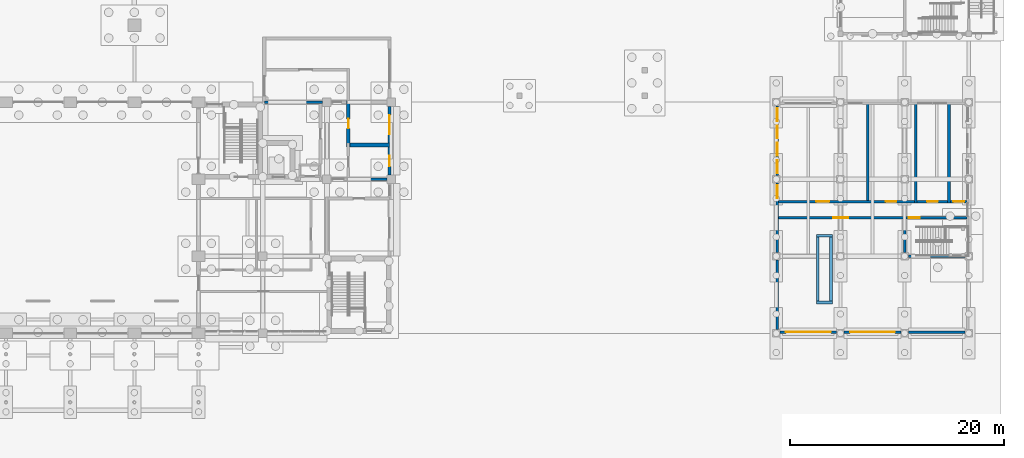
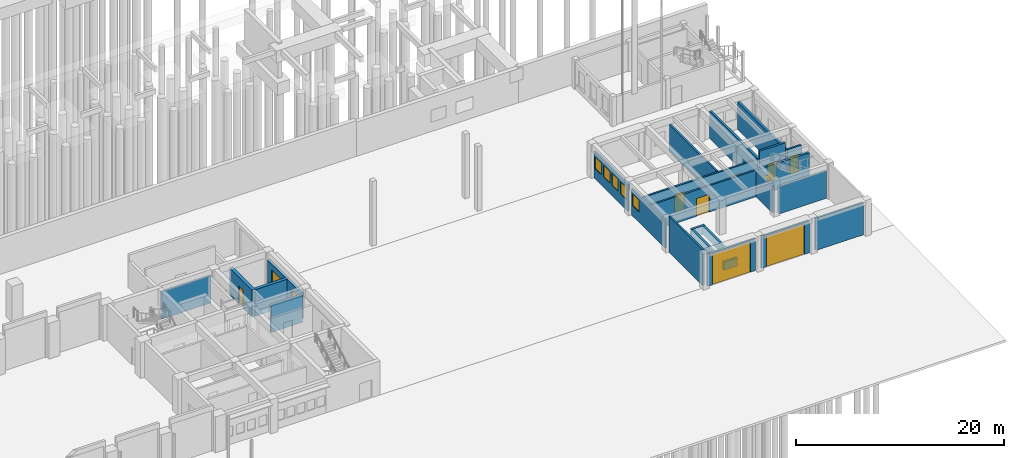
# One storey, part 25 of 37: 25 walls, 11 doors, 5 windows, 16 openings.
"""IFC4 building model written with IfcOpenShell, lengths in metres."""

from ifc_helpers import new_model, si_unit, direction, frame, frame_2d, origin, place, context, subcontext, project, spatial, rectangle, extrude, material, layer, layer_set, type_object, element, fill, save


model = new_model("IFC4")

# Units and contexts
model_context = context("Model", 3, precision=1e-05, world=origin(), true_north=direction((0.0, 1.0)))
body_context = subcontext(model_context, "Body", "Model", "MODEL_VIEW")
ifc_project = project(units=[si_unit("LENGTHUNIT", "METRE"), si_unit("AREAUNIT", "SQUARE_METRE"), si_unit("VOLUMEUNIT", "CUBIC_METRE"), si_unit("PLANEANGLEUNIT", "RADIAN"), si_unit("MASSUNIT", "GRAM", prefix="KILO")], contexts=[model_context])

# Site, building, storey
site_placement = place(None, origin())
site = spatial("IfcSite", under=ifc_project, at=site_placement, CompositionType="ELEMENT")
building_placement = place(site_placement, origin())
building = spatial("IfcBuilding", under=site, at=building_placement, Name="Laocheng Heights Fire and Rescue Headquarters", CompositionType="ELEMENT")
storey_placement = place(building_placement, origin())
storey = spatial("IfcBuildingStorey", under=building, at=storey_placement, Name="L00", CompositionType="ELEMENT", Elevation=0.0)

# Wall
ifc_material_1 = material(Name="Gypsum plaster")
ifc_layer_1 = layer(ifc_material_1, 0.010009765625, Name="PLASTER", Category="plaster")
ifc_material_2 = material(Name="Concrete blockwork MU10", Category="masonry")
ifc_layer_2 = layer(ifc_material_2, 0.179931640625, Name="BLOCKWORK", Category="masonry")
ifc_layer_3 = layer(ifc_material_1, 0.010009765625, Name="PLASTER", Category="plaster")
ifc_layer_set_1 = layer_set([ifc_layer_1, ifc_layer_2, ifc_layer_3], Name="Concrete blockwork MU10")
wall_type_1 = type_object("IfcWallType", Name="BLOCKWORK FIRE PARTITION 200 EI 60 WORK", PredefinedType="PARTITIONING", material=ifc_layer_set_1)
wall_1_placement = place(storey_placement, frame((116.550048828125, 12.39990234375, 0.0), z_axis=(0.0, 0.0, 1.0), x_axis=(0.0, 1.0, 0.0)))
element("IfcWall", 1, at=wall_1_placement, inside=storey, type_object=wall_type_1, Name="Partition L00-001", PredefinedType="PARTITIONING", context=body_context, shape_type="SweptSolid", body=[
    extrude(rectangle(XDim=9.050048828125, YDim=0.199951171875, at=frame_2d((4.52490234375, 0.0))), origin(), (0.0, 0.0, 1.0), 3.199951171875),
])

# Wall, opening, door
wall_2_placement = place(storey_placement, frame((108.14990234375, 10.800048828125, 0.0), z_axis=(0.0, 0.0, 1.0), x_axis=(1.0, 0.0, 0.0)))
wall_2 = element("IfcWall", 2, at=wall_2_placement, inside=storey, type_object=wall_type_1, Name="Partition L00-006", PredefinedType="PARTITIONING", context=body_context, shape_type="SweptSolid", body=[
    extrude(rectangle(XDim=11.72998046875, YDim=0.199951171875, at=frame_2d((5.864990234375, 0.0))), origin(), (0.0, 0.0, 1.0), 3.10009765625),
])
opening_1_placement = place(wall_2_placement, frame((5.1650390625, 0.0, 0.0)))
opening_1 = element("IfcOpeningElement", 3, at=opening_1_placement, cuts=wall_2, Name="Opening L00-N03", PredefinedType="OPENING", context=body_context, shape_type="SweptSolid", body=[
    extrude(rectangle(XDim=1.39990234375, YDim=2.10009765625, at=frame_2d((0.699951171875, 1.050048828125))), frame((0.0, 0.10986328125, 0.0), z_axis=(0.0, -1.0, 0.0), x_axis=(1.0, 0.0, 0.0)), (0.0, 0.0, 1.0), 0.219970703125),
])
ifc_material_3 = material(Name="Steel door leaf, painted", Category="steel")
door_type_1 = type_object("IfcDoorType", Name="STEEL FIRE DOOR 1400x2100 EI 60 WORK", OperationType="SINGLE_SWING_LEFT", PredefinedType="DOOR", material=ifc_material_3)
door_1_placement = place(opening_1_placement, frame((1.39990234375, 0.0, 0.0), z_axis=(0.0, 0.0, 1.0), x_axis=(-1.0, 0.0, 0.0)))
door_1 = element("IfcDoor", 4, at=door_1_placement, inside=storey, type_object=door_type_1, Name="Door L00-N03", OperationType="SINGLE_SWING_RIGHT", OverallHeight=2.10009765625, OverallWidth=1.39990234375, PredefinedType="DOOR", context=body_context, shape_type="SweptSolid", body=[
    extrude(rectangle(XDim=1.39990234375, YDim=2.10009765625, at=frame_2d((0.699951171875, 1.050048828125))), frame((0.0, 0.02490234375, 0.0), z_axis=(0.0, -1.0, 0.0), x_axis=(1.0, 0.0, 0.0)), (0.0, 0.0, 1.0), 0.050048828125),
])
fill(opening_1, door_1)

# Wall, openings, doors
wall_3_placement = place(storey_placement, frame((108.14990234375, 12.300048828125, 0.0), z_axis=(0.0, 0.0, 1.0), x_axis=(1.0, 0.0, 0.0)))
wall_3 = element("IfcWall", 5, at=wall_3_placement, inside=storey, type_object=wall_type_1, Name="Partition L00-008", PredefinedType="PARTITIONING", context=body_context, shape_type="SweptSolid", body=[
    extrude(rectangle(XDim=12.780029296875, YDim=0.199951171875, at=frame_2d((6.39013671875, 0.0))), origin(), (0.0, 0.0, 1.0), 3.10009765625),
])
opening_2_placement = place(wall_3_placement, frame((3.60009765625, 0.0, 0.0)))
opening_2 = element("IfcOpeningElement", 6, at=opening_2_placement, cuts=wall_3, Name="Opening L00-N04", PredefinedType="OPENING", context=body_context, shape_type="SweptSolid", body=[
    extrude(rectangle(XDim=1.199951171875, YDim=2.10009765625, at=frame_2d((0.60009765625, 1.050048828125))), frame((0.0, 0.10986328125, 0.0), z_axis=(0.0, -1.0, 0.0), x_axis=(1.0, 0.0, 0.0)), (0.0, 0.0, 1.0), 0.219970703125),
])
opening_3_placement = place(wall_3_placement, frame((10.090087890625, 0.0, 0.0)))
opening_3 = element("IfcOpeningElement", 7, at=opening_3_placement, cuts=wall_3, Name="Opening L00-N05", PredefinedType="OPENING", context=body_context, shape_type="SweptSolid", body=[
    extrude(rectangle(XDim=1.0, YDim=2.10009765625, at=frame_2d((0.5, 1.050048828125))), frame((0.0, 0.10986328125, 0.0), z_axis=(0.0, -1.0, 0.0), x_axis=(1.0, 0.0, 0.0)), (0.0, 0.0, 1.0), 0.219970703125),
])
ifc_material_4 = material(Name="Steel door leaf, painted", Category="steel")
door_type_2 = type_object("IfcDoorType", Name="STEEL FIRE DOOR 1000x2100 EI 60 WORK", OperationType="SINGLE_SWING_LEFT", PredefinedType="DOOR", material=ifc_material_4)
door_2_placement = place(opening_3_placement, origin())
door_2 = element("IfcDoor", 8, at=door_2_placement, inside=storey, type_object=door_type_2, Name="Door L00-N05", OperationType="SINGLE_SWING_LEFT", OverallHeight=2.10009765625, OverallWidth=1.0, PredefinedType="DOOR", context=body_context, shape_type="SweptSolid", body=[
    extrude(rectangle(XDim=1.0, YDim=2.10009765625, at=frame_2d((0.5, 1.050048828125))), frame((0.0, 0.02490234375, 0.0), z_axis=(0.0, -1.0, 0.0), x_axis=(1.0, 0.0, 0.0)), (0.0, 0.0, 1.0), 0.050048828125),
])
fill(opening_3, door_2)
ifc_material_5 = material(Name="Steel door leaf, painted", Category="steel")
door_type_3 = type_object("IfcDoorType", Name="STEEL FIRE DOOR 1200x2100 EI 60 WORK", OperationType="SINGLE_SWING_LEFT", PredefinedType="DOOR", material=ifc_material_5)
door_3_placement = place(opening_2_placement, origin())
door_3 = element("IfcDoor", 9, at=door_3_placement, inside=storey, type_object=door_type_3, Name="Door L00-N04", OperationType="SINGLE_SWING_LEFT", OverallHeight=2.10009765625, OverallWidth=1.199951171875, PredefinedType="DOOR", context=body_context, shape_type="SweptSolid", body=[
    extrude(rectangle(XDim=1.199951171875, YDim=2.10009765625, at=frame_2d((0.60009765625, 1.050048828125))), frame((0.0, 0.02490234375, 0.0), z_axis=(0.0, -1.0, 0.0), x_axis=(1.0, 0.0, 0.0)), (0.0, 0.0, 1.0), 0.050048828125),
])
fill(opening_2, door_3)

# Wall, opening, door
wall_4_placement = place(storey_placement, frame((124.27001953125, 12.300048828125, 0.0), z_axis=(0.0, 0.0, 1.0), x_axis=(1.0, 0.0, 0.0)))
wall_4 = element("IfcWall", 10, at=wall_4_placement, inside=storey, type_object=wall_type_1, Name="Partition L00-010", PredefinedType="PARTITIONING", context=body_context, shape_type="SweptSolid", body=[
    extrude(rectangle(XDim=1.580078125, YDim=0.199951171875, at=frame_2d((0.7900390625, 0.0))), origin(), (0.0, 0.0, 1.0), 3.10009765625),
])
opening_4_placement = place(wall_4_placement, frame((0.2900390625, 0.0, 0.0)))
opening_4 = element("IfcOpeningElement", 11, at=opening_4_placement, cuts=wall_4, Name="Opening L00-N07", PredefinedType="OPENING", context=body_context, shape_type="SweptSolid", body=[
    extrude(rectangle(XDim=1.0, YDim=2.10009765625, at=frame_2d((0.5, 1.050048828125))), frame((0.0, 0.10986328125, 0.0), z_axis=(0.0, -1.0, 0.0), x_axis=(1.0, 0.0, 0.0)), (0.0, 0.0, 1.0), 0.219970703125),
])
door_4_placement = place(opening_4_placement, origin())
door_4 = element("IfcDoor", 12, at=door_4_placement, inside=storey, type_object=door_type_2, Name="Door L00-N07", OperationType="SINGLE_SWING_RIGHT", OverallHeight=2.10009765625, OverallWidth=1.0, PredefinedType="DOOR", context=body_context, shape_type="SweptSolid", body=[
    extrude(rectangle(XDim=1.0, YDim=2.10009765625, at=frame_2d((0.5, 1.050048828125))), frame((0.0, 0.02490234375, 0.0), z_axis=(0.0, -1.0, 0.0), x_axis=(1.0, 0.0, 0.0)), (0.0, 0.0, 1.0), 0.050048828125),
])
fill(opening_4, door_4)

# Walls
ifc_material_6 = material(Name="Gypsum plaster")
ifc_layer_4 = layer(ifc_material_6, 0.010009765625, Name="PLASTER", Category="plaster")
ifc_material_7 = material(Name="Clay brick masonry MU10", Category="masonry")
ifc_layer_5 = layer(ifc_material_7, 0.219970703125, Name="BLOCKWORK", Category="masonry")
ifc_layer_6 = layer(ifc_material_6, 0.010009765625, Name="PLASTER", Category="plaster")
ifc_layer_set_2 = layer_set([ifc_layer_4, ifc_layer_5, ifc_layer_6], Name="Clay brick masonry MU10")
wall_type_2 = type_object("IfcWallType", Name="CLAY BRICK WALL 240 EI 120 BAY", PredefinedType="PARTITIONING", material=ifc_layer_set_2)
wall_5_placement = place(storey_placement, frame((68.1201171875, 14.39990234375, 0.0), z_axis=(0.0, 0.0, 1.0), x_axis=(1.0, 0.0, 0.0)))
element("IfcWall", 13, at=wall_5_placement, inside=storey, type_object=wall_type_2, Name="Partition L00-028", PredefinedType="PARTITIONING", context=body_context, shape_type="SweptSolid", body=[
    extrude(rectangle(XDim=3.47998046875, YDim=0.239990234375, at=frame_2d((1.739990234375, 0.0))), origin(), (0.0, 0.0, 1.0), 3.199951171875),
])
wall_6_placement = place(storey_placement, frame((60.14990234375, 21.60009765625, 0.0), z_axis=(0.0, 0.0, 1.0), x_axis=(1.0, 0.0, 0.0)))
element("IfcWall", 14, at=wall_6_placement, inside=storey, type_object=wall_type_2, Name="Partition L00-032", PredefinedType="PARTITIONING", context=body_context, shape_type="SweptSolid", body=[
    extrude(rectangle(XDim=5.4501953125, YDim=0.239990234375, at=frame_2d((2.72509765625, 0.0))), origin(), (0.0, 0.0, 1.0), 3.199951171875),
])
ifc_material_8 = material(Name="Gypsum plaster")
ifc_layer_7 = layer(ifc_material_8, 0.010009765625, Name="PLASTER", Category="plaster")
ifc_material_9 = material(Name="Clay brick masonry MU10", Category="masonry")
ifc_layer_8 = layer(ifc_material_9, 0.219970703125, Name="BLOCKWORK", Category="masonry")
ifc_layer_9 = layer(ifc_material_8, 0.010009765625, Name="PLASTER", Category="plaster")
ifc_layer_set_3 = layer_set([ifc_layer_7, ifc_layer_8, ifc_layer_9], Name="Clay brick masonry MU10")
wall_type_3 = type_object("IfcWallType", Name="CLAY BRICK WALL 240 EI 120 WORK", PredefinedType="PARTITIONING", material=ifc_layer_set_3)
wall_7_placement = place(storey_placement, frame((120.0, 7.550048828125, 0.0), z_axis=(0.0, 0.0, 1.0), x_axis=(0.0, 1.0, 0.0)))
element("IfcWall", 15, at=wall_7_placement, inside=storey, type_object=wall_type_3, Name="Partition L00-002", PredefinedType="PARTITIONING", context=body_context, shape_type="SweptSolid", body=[
    extrude(rectangle(XDim=3.369873046875, YDim=0.239990234375, at=frame_2d((1.68505859375, 0.0))), origin(), (0.0, 0.0, 1.0), 3.10009765625),
])
for number, where, z_axis, x_axis, name in (
    (16, (121.050048828125, 12.179931640625, 0.0), (0.0, 0.0, 1.0), (0.0, 1.0, 0.0), "Partition L00-003"),
    (17, (124.14990234375, 12.179931640625, 0.0), (0.0, 0.0, 1.0), (0.0, 1.0, 0.0), "Partition L00-004"),
):
    element("IfcWall", number, at=place(storey_placement, frame(where, z_axis=z_axis, x_axis=x_axis)), inside=storey, type_object=wall_type_3, Name=name, PredefinedType="PARTITIONING", context=body_context, shape_type="SweptSolid", body=[
        extrude(rectangle(XDim=9.27001953125, YDim=0.239990234375, at=frame_2d((4.635009765625, 0.0))), origin(), (0.0, 0.0, 1.0), 3.199951171875),
    ])
wall_8_placement = place(storey_placement, frame((120.35009765625, 7.199951171875, 0.0), z_axis=(0.0, 0.0, 1.0), x_axis=(1.0, 0.0, 0.0)))
element("IfcWall", 18, at=wall_8_placement, inside=storey, type_object=wall_type_3, Name="Partition L00-005", PredefinedType="PARTITIONING", context=body_context, shape_type="SweptSolid", body=[
    extrude(rectangle(XDim=5.2998046875, YDim=0.239990234375, at=frame_2d((2.64990234375, 0.0))), origin(), (0.0, 0.0, 1.0), 3.199951171875),
])

# Wall, opening, door
wall_9_placement = place(storey_placement, frame((120.1201171875, 10.800048828125, 0.0), z_axis=(0.0, 0.0, 1.0), x_axis=(1.0, 0.0, 0.0)))
wall_9 = element("IfcWall", 19, at=wall_9_placement, inside=storey, type_object=wall_type_3, Name="Partition L00-007", PredefinedType="PARTITIONING", context=body_context, shape_type="SweptSolid", body=[
    extrude(rectangle(XDim=5.72998046875, YDim=0.239990234375, at=frame_2d((2.864990234375, 0.0))), origin(), (0.0, 0.0, 1.0), 3.10009765625),
])
opening_5_placement = place(wall_9_placement, frame((0.280029296875, 0.0, 0.0)))
opening_5 = element("IfcOpeningElement", 20, at=opening_5_placement, cuts=wall_9, Name="Opening L00-N01", PredefinedType="OPENING", context=body_context, shape_type="SweptSolid", body=[
    extrude(rectangle(XDim=1.0, YDim=2.10009765625, at=frame_2d((0.5, 1.050048828125))), frame((0.0, 0.1298828125, 0.0), z_axis=(0.0, -1.0, 0.0), x_axis=(1.0, 0.0, 0.0)), (0.0, 0.0, 1.0), 0.260009765625),
])
ifc_material_10 = material(Name="Steel door leaf, painted", Category="steel")
door_type_4 = type_object("IfcDoorType", Name="STEEL FIRE DOOR 1000x2100 EI 120 WORK", OperationType="SINGLE_SWING_LEFT", PredefinedType="DOOR", material=ifc_material_10)
door_5_placement = place(opening_5_placement, frame((1.0, 0.0, 0.0), z_axis=(0.0, 0.0, 1.0), x_axis=(-1.0, 0.0, 0.0)))
door_5 = element("IfcDoor", 21, at=door_5_placement, inside=storey, type_object=door_type_4, Name="Door L00-N01", OperationType="SINGLE_SWING_RIGHT", OverallHeight=2.10009765625, OverallWidth=1.0, PredefinedType="DOOR", context=body_context, shape_type="SweptSolid", body=[
    extrude(rectangle(XDim=1.0, YDim=2.10009765625, at=frame_2d((0.5, 1.050048828125))), frame((0.0, 0.02490234375, 0.0), z_axis=(0.0, -1.0, 0.0), x_axis=(1.0, 0.0, 0.0)), (0.0, 0.0, 1.0), 0.050048828125),
])
fill(opening_5, door_5)

wall_10_placement = place(storey_placement, frame((121.169921875, 12.300048828125, 0.0), z_axis=(0.0, 0.0, 1.0), x_axis=(1.0, 0.0, 0.0)))
wall_10 = element("IfcWall", 22, at=wall_10_placement, inside=storey, type_object=wall_type_3, Name="Partition L00-009", PredefinedType="PARTITIONING", context=body_context, shape_type="SweptSolid", body=[
    extrude(rectangle(XDim=2.860107421875, YDim=0.239990234375, at=frame_2d((1.43017578125, 0.0))), origin(), (0.0, 0.0, 1.0), 4.0),
])
opening_6_placement = place(wall_10_placement, frame((0.929931640625, 0.0, 0.0)))
opening_6 = element("IfcOpeningElement", 23, at=opening_6_placement, cuts=wall_10, Name="Opening L00-N06", PredefinedType="OPENING", context=body_context, shape_type="SweptSolid", body=[
    extrude(rectangle(XDim=1.0, YDim=2.10009765625, at=frame_2d((0.5, 1.050048828125))), frame((0.0, 0.1298828125, 0.0), z_axis=(0.0, -1.0, 0.0), x_axis=(1.0, 0.0, 0.0)), (0.0, 0.0, 1.0), 0.260009765625),
])
door_6_placement = place(opening_6_placement, origin())
door_6 = element("IfcDoor", 24, at=door_6_placement, inside=storey, type_object=door_type_4, Name="Door L00-N06", OperationType="SINGLE_SWING_RIGHT", OverallHeight=2.10009765625, OverallWidth=1.0, PredefinedType="DOOR", context=body_context, shape_type="SweptSolid", body=[
    extrude(rectangle(XDim=1.0, YDim=2.10009765625, at=frame_2d((0.5, 1.050048828125))), frame((0.0, 0.02490234375, 0.0), z_axis=(0.0, -1.0, 0.0), x_axis=(1.0, 0.0, 0.0)), (0.0, 0.0, 1.0), 0.050048828125),
])
fill(opening_6, door_6)

# Wall, openings, doors
ifc_material_11 = material(Name="Precast concrete C40/50", Category="concrete")
ifc_layer_10 = layer(ifc_material_11, 0.300048828125)
ifc_layer_set_4 = layer_set([ifc_layer_10], Name="Precast concrete C40/50")
wall_type_4 = type_object("IfcWallType", Name="PRECAST PANEL WALL 300 EAST FLANK", PredefinedType="SOLIDWALL", material=ifc_layer_set_4)
wall_11_placement = place(storey_placement, frame((71.85009765625, 14.800048828125, 0.0), z_axis=(0.0, 0.0, 1.0), x_axis=(0.0, 1.0, 0.0)))
wall_11 = element("IfcWall", 25, at=wall_11_placement, inside=storey, type_object=wall_type_4, Name="Flank E wall L00", PredefinedType="SOLIDWALL", context=body_context, shape_type="SweptSolid", body=[
    extrude(rectangle(XDim=6.39990234375, YDim=0.300048828125, at=frame_2d((3.199951171875, 0.0))), origin(), (0.0, 0.0, 1.0), 3.10009765625),
])
opening_7_placement = place(wall_11_placement, frame((0.8125, 0.0, 0.0)))
opening_7 = element("IfcOpeningElement", 26, at=opening_7_placement, cuts=wall_11, Name="Opening L00-E04", PredefinedType="OPENING", context=body_context, shape_type="SweptSolid", body=[
    extrude(rectangle(XDim=1.0, YDim=2.39990234375, at=frame_2d((0.5, 1.199951171875))), frame((0.0, 0.159912109375, 0.0), z_axis=(0.0, -1.0, 0.0), x_axis=(1.0, 0.0, 0.0)), (0.0, 0.0, 1.0), 0.320068359375),
])
opening_8_placement = place(wall_11_placement, frame((3.78759765625, 0.0, 0.0)))
opening_8 = element("IfcOpeningElement", 27, at=opening_8_placement, cuts=wall_11, Name="Opening L00-E05", PredefinedType="OPENING", context=body_context, shape_type="SweptSolid", body=[
    extrude(rectangle(XDim=1.800048828125, YDim=2.39990234375, at=frame_2d((0.89990234375, 1.199951171875))), frame((0.0, 0.159912109375, 0.0), z_axis=(0.0, -1.0, 0.0), x_axis=(1.0, 0.0, 0.0)), (0.0, 0.0, 1.0), 0.320068359375),
])
ifc_material_12 = material(Name="Powder-coated galvanised steel door leaf, louvred", Category="steel")
door_type_5 = type_object("IfcDoorType", Name="DOUBLE PLANT DOOR STEEL 1800 x 2400 EI 60", OperationType="DOUBLE_DOOR_SINGLE_SWING", PredefinedType="DOOR", material=ifc_material_12)
door_7_placement = place(opening_8_placement, frame((1.800048828125, 0.0, 0.0), z_axis=(0.0, 0.0, 1.0), x_axis=(-1.0, 0.0, 0.0)))
door_7 = element("IfcDoor", 28, at=door_7_placement, inside=storey, type_object=door_type_5, Name="Plant room door L00-E05", OperationType="DOUBLE_DOOR_SINGLE_SWING", OverallHeight=2.39990234375, OverallWidth=1.800048828125, PredefinedType="DOOR", context=body_context, shape_type="SweptSolid", body=[
    extrude(rectangle(XDim=1.800048828125, YDim=2.39990234375, at=frame_2d((0.89990234375, 1.199951171875))), frame((0.0, 0.02490234375, 0.0), z_axis=(0.0, -1.0, 0.0), x_axis=(1.0, 0.0, 0.0)), (0.0, 0.0, 1.0), 0.050048828125),
])
fill(opening_8, door_7)
ifc_material_13 = material(Name="Powder-coated galvanised steel door leaf", Category="steel")
door_type_6 = type_object("IfcDoorType", Name="EXTERNAL STEEL DOOR 1000 x 2400 EI 60", OperationType="SINGLE_SWING_LEFT", PredefinedType="DOOR", material=ifc_material_13)
door_8_placement = place(opening_7_placement, frame((1.0, 0.0, 0.0), z_axis=(0.0, 0.0, 1.0), x_axis=(-1.0, 0.0, 0.0)))
door_8 = element("IfcDoor", 29, at=door_8_placement, inside=storey, type_object=door_type_6, Name="Plant room door L00-E04", OperationType="SINGLE_SWING_RIGHT", OverallHeight=2.39990234375, OverallWidth=1.0, PredefinedType="DOOR", context=body_context, shape_type="SweptSolid", body=[
    extrude(rectangle(XDim=1.0, YDim=2.39990234375, at=frame_2d((0.5, 1.199951171875))), frame((0.0, 0.02490234375, 0.0), z_axis=(0.0, -1.0, 0.0), x_axis=(1.0, 0.0, 0.0)), (0.0, 0.0, 1.0), 0.050048828125),
])
fill(opening_7, door_8)

# Wall, opening, door
ifc_material_14 = material(Name="Aluminium profiled sheet cladding on insulated steel liner", Category="steel")
ifc_layer_11 = layer(ifc_material_14, 0.199951171875)
ifc_layer_set_5 = layer_set([ifc_layer_11], Name="Aluminium profiled sheet cladding on insulated steel liner")
wall_type_5 = type_object("IfcWallType", Name="PROFILED METAL CLAD WALL 200 WORKSHOP", PredefinedType="SOLIDWALL", material=ifc_layer_set_5)
wall_12_placement = place(storey_placement, frame((108.35009765625, 0.10009765625, 0.0), z_axis=(0.0, 0.0, 1.0), x_axis=(1.0, 0.0, 0.0)))
wall_12 = element("IfcWall", 30, at=wall_12_placement, inside=storey, type_object=wall_type_5, Name="Workshop wall L00", PredefinedType="SOLIDWALL", context=body_context, shape_type="SweptSolid", body=[
    extrude(rectangle(XDim=5.2998046875, YDim=0.199951171875, at=frame_2d((2.64990234375, 0.0))), origin(), (0.0, 0.0, 1.0), 3.800048828125),
])
opening_9_placement = place(wall_12_placement, frame((0.550048828125, 0.0, 0.0)))
opening_9 = element("IfcOpeningElement", 31, at=opening_9_placement, cuts=wall_12, Name="Opening L00-E08", PredefinedType="OPENING", context=body_context, shape_type="SweptSolid", body=[
    extrude(rectangle(XDim=4.199951171875, YDim=3.60009765625, at=frame_2d((2.10009765625, 1.800048828125))), frame((0.0, 0.10986328125, 0.0), z_axis=(0.0, -1.0, 0.0), x_axis=(1.0, 0.0, 0.0)), (0.0, 0.0, 1.0), 0.219970703125),
])
ifc_material_15 = material(Name="Insulated aluminium roller shutter, powder-coated", Category="aluminium")
door_type_7 = type_object("IfcDoorType", Name="ROLLER SHUTTER DOOR INSULATED 4200 x 3600 EI 60", OperationType="ROLLINGUP", PredefinedType="DOOR", material=ifc_material_15)
door_9_placement = place(opening_9_placement, frame((4.199951171875, 0.0, 0.0), z_axis=(0.0, 0.0, 1.0), x_axis=(-1.0, 0.0, 0.0)))
door_9 = element("IfcDoor", 32, at=door_9_placement, inside=storey, type_object=door_type_7, Name="Workshop roller door L00-E08", OperationType="ROLLINGUP", OverallHeight=3.60009765625, OverallWidth=4.199951171875, PredefinedType="DOOR", context=body_context, shape_type="SweptSolid", body=[
    extrude(rectangle(XDim=4.199951171875, YDim=3.60009765625, at=frame_2d((2.10009765625, 1.800048828125))), frame((0.0, 0.02490234375, 0.0), z_axis=(0.0, -1.0, 0.0), x_axis=(1.0, 0.0, 0.0)), (0.0, 0.0, 1.0), 0.050048828125),
])
fill(opening_9, door_9)

wall_13_placement = place(storey_placement, frame((114.35009765625, 0.10009765625, 0.0), z_axis=(0.0, 0.0, 1.0), x_axis=(1.0, 0.0, 0.0)))
wall_13 = element("IfcWall", 33, at=wall_13_placement, inside=storey, type_object=wall_type_5, Name="Workshop wall L00", PredefinedType="SOLIDWALL", context=body_context, shape_type="SweptSolid", body=[
    extrude(rectangle(XDim=5.2998046875, YDim=0.199951171875, at=frame_2d((2.64990234375, 0.0))), origin(), (0.0, 0.0, 1.0), 3.800048828125),
])
opening_10_placement = place(wall_13_placement, frame((0.550048828125, 0.0, 0.0)))
opening_10 = element("IfcOpeningElement", 34, at=opening_10_placement, cuts=wall_13, Name="Opening L00-E09", PredefinedType="OPENING", context=body_context, shape_type="SweptSolid", body=[
    extrude(rectangle(XDim=4.199951171875, YDim=3.60009765625, at=frame_2d((2.10009765625, 1.800048828125))), frame((0.0, 0.10986328125, 0.0), z_axis=(0.0, -1.0, 0.0), x_axis=(1.0, 0.0, 0.0)), (0.0, 0.0, 1.0), 0.219970703125),
])
door_10_placement = place(opening_10_placement, frame((4.199951171875, 0.0, 0.0), z_axis=(0.0, 0.0, 1.0), x_axis=(-1.0, 0.0, 0.0)))
door_10 = element("IfcDoor", 35, at=door_10_placement, inside=storey, type_object=door_type_7, Name="Workshop roller door L00-E09", OperationType="ROLLINGUP", OverallHeight=3.60009765625, OverallWidth=4.199951171875, PredefinedType="DOOR", context=body_context, shape_type="SweptSolid", body=[
    extrude(rectangle(XDim=4.199951171875, YDim=3.60009765625, at=frame_2d((2.10009765625, 1.800048828125))), frame((0.0, 0.02490234375, 0.0), z_axis=(0.0, -1.0, 0.0), x_axis=(1.0, 0.0, 0.0)), (0.0, 0.0, 1.0), 0.050048828125),
])
fill(opening_10, door_10)

# Walls
wall_14_placement = place(storey_placement, frame((120.35009765625, 0.10009765625, 0.0), z_axis=(0.0, 0.0, 1.0), x_axis=(1.0, 0.0, 0.0)))
element("IfcWall", 36, at=wall_14_placement, inside=storey, type_object=wall_type_5, Name="Workshop wall L00", PredefinedType="SOLIDWALL", context=body_context, shape_type="SweptSolid", body=[
    extrude(rectangle(XDim=5.2998046875, YDim=0.199951171875, at=frame_2d((2.64990234375, 0.0))), origin(), (0.0, 0.0, 1.0), 3.800048828125),
])
wall_15_placement = place(storey_placement, frame((108.10009765625, 0.35009765625, 0.0), z_axis=(0.0, 0.0, 1.0), x_axis=(0.0, 1.0, 0.0)))
element("IfcWall", 37, at=wall_15_placement, inside=storey, type_object=wall_type_5, Name="Workshop wall L00", PredefinedType="SOLIDWALL", context=body_context, shape_type="SweptSolid", body=[
    extrude(rectangle(XDim=6.5, YDim=0.199951171875, at=frame_2d((3.25, 0.0))), origin(), (0.0, 0.0, 1.0), 4.199951171875),
])

# Wall, opening, window
wall_16_placement = place(storey_placement, frame((108.10009765625, 7.550048828125, 0.0), z_axis=(0.0, 0.0, 1.0), x_axis=(0.0, 1.0, 0.0)))
wall_16 = element("IfcWall", 38, at=wall_16_placement, inside=storey, type_object=wall_type_5, Name="Workshop wall L00", PredefinedType="SOLIDWALL", context=body_context, shape_type="SweptSolid", body=[
    extrude(rectangle(XDim=6.5, YDim=0.199951171875, at=frame_2d((3.25, 0.0))), origin(), (0.0, 0.0, 1.0), 3.10009765625),
])
opening_11_placement = place(wall_16_placement, frame((5.074951171875, 0.0, 1.199951171875)))
opening_11 = element("IfcOpeningElement", 39, at=opening_11_placement, cuts=wall_16, Name="Opening N4-E", PredefinedType="OPENING", context=body_context, shape_type="SweptSolid", body=[
    extrude(rectangle(XDim=1.199951171875, YDim=1.39990234375, at=frame_2d((0.60009765625, 0.699951171875))), frame((0.0, 0.10986328125, 0.0), z_axis=(0.0, -1.0, 0.0), x_axis=(1.0, 0.0, 0.0)), (0.0, 0.0, 1.0), 0.219970703125),
])
ifc_material_16 = material(Name="Low-e double glazing in thermally broken aluminium frame", Category="aluminium")
window_type = type_object("IfcWindowType", Name="CLERESTORY WINDOW 1200 x 1400 SILL 1200", PartitioningType="SINGLE_PANEL", PredefinedType="WINDOW", material=ifc_material_16)
window_1_placement = place(opening_11_placement, origin())
window_1 = element("IfcWindow", 40, at=window_1_placement, inside=storey, type_object=window_type, Name="Workshop window L00", OverallHeight=1.39990234375, OverallWidth=1.199951171875, PartitioningType="SINGLE_PANEL", PredefinedType="WINDOW", context=body_context, shape_type="SweptSolid", body=[
    extrude(rectangle(XDim=1.199951171875, YDim=1.39990234375, at=frame_2d((0.60009765625, 0.699951171875))), frame((0.0, 0.030029296875, 0.0), z_axis=(0.0, -1.0, 0.0), x_axis=(1.0, 0.0, 0.0)), (0.0, 0.0, 1.0), 0.06005859375),
])
fill(opening_11, window_1)

# Wall, openings, windows
wall_17_placement = place(storey_placement, frame((108.10009765625, 14.75, 0.0), z_axis=(0.0, 0.0, 1.0), x_axis=(0.0, 1.0, 0.0)))
wall_17 = element("IfcWall", 41, at=wall_17_placement, inside=storey, type_object=wall_type_5, Name="Workshop wall L00", PredefinedType="SOLIDWALL", context=body_context, shape_type="SweptSolid", body=[
    extrude(rectangle(XDim=6.5, YDim=0.199951171875, at=frame_2d((3.25, 0.0))), origin(), (0.0, 0.0, 1.0), 3.10009765625),
])
opening_12_placement = place(wall_17_placement, frame((0.21240234375, 0.0, 1.199951171875)))
opening_12 = element("IfcOpeningElement", 42, at=opening_12_placement, cuts=wall_17, Name="Opening N4-E", PredefinedType="OPENING", context=body_context, shape_type="SweptSolid", body=[
    extrude(rectangle(XDim=1.199951171875, YDim=1.39990234375, at=frame_2d((0.60009765625, 0.699951171875))), frame((0.0, 0.10986328125, 0.0), z_axis=(0.0, -1.0, 0.0), x_axis=(1.0, 0.0, 0.0)), (0.0, 0.0, 1.0), 0.219970703125),
])
opening_13_placement = place(wall_17_placement, frame((1.83740234375, 0.0, 1.199951171875)))
opening_13 = element("IfcOpeningElement", 43, at=opening_13_placement, cuts=wall_17, Name="Opening N4-E", PredefinedType="OPENING", context=body_context, shape_type="SweptSolid", body=[
    extrude(rectangle(XDim=1.199951171875, YDim=1.39990234375, at=frame_2d((0.60009765625, 0.699951171875))), frame((0.0, 0.10986328125, 0.0), z_axis=(0.0, -1.0, 0.0), x_axis=(1.0, 0.0, 0.0)), (0.0, 0.0, 1.0), 0.219970703125),
])
opening_14_placement = place(wall_17_placement, frame((3.46240234375, 0.0, 1.199951171875)))
opening_14 = element("IfcOpeningElement", 44, at=opening_14_placement, cuts=wall_17, Name="Opening N4-E", PredefinedType="OPENING", context=body_context, shape_type="SweptSolid", body=[
    extrude(rectangle(XDim=1.199951171875, YDim=1.39990234375, at=frame_2d((0.60009765625, 0.699951171875))), frame((0.0, 0.10986328125, 0.0), z_axis=(0.0, -1.0, 0.0), x_axis=(1.0, 0.0, 0.0)), (0.0, 0.0, 1.0), 0.219970703125),
])
opening_15_placement = place(wall_17_placement, frame((5.08740234375, 0.0, 1.199951171875)))
opening_15 = element("IfcOpeningElement", 45, at=opening_15_placement, cuts=wall_17, Name="Opening N4-E", PredefinedType="OPENING", context=body_context, shape_type="SweptSolid", body=[
    extrude(rectangle(XDim=1.199951171875, YDim=1.39990234375, at=frame_2d((0.60009765625, 0.699951171875))), frame((0.0, 0.10986328125, 0.0), z_axis=(0.0, -1.0, 0.0), x_axis=(1.0, 0.0, 0.0)), (0.0, 0.0, 1.0), 0.219970703125),
])
window_2_placement = place(opening_12_placement, origin())
window_2 = element("IfcWindow", 46, at=window_2_placement, inside=storey, type_object=window_type, Name="Workshop window L00", OverallHeight=1.39990234375, OverallWidth=1.199951171875, PartitioningType="SINGLE_PANEL", PredefinedType="WINDOW", context=body_context, shape_type="SweptSolid", body=[
    extrude(rectangle(XDim=1.199951171875, YDim=1.39990234375, at=frame_2d((0.60009765625, 0.699951171875))), frame((0.0, 0.030029296875, 0.0), z_axis=(0.0, -1.0, 0.0), x_axis=(1.0, 0.0, 0.0)), (0.0, 0.0, 1.0), 0.06005859375),
])
fill(opening_12, window_2)
window_3_placement = place(opening_13_placement, origin())
window_3 = element("IfcWindow", 47, at=window_3_placement, inside=storey, type_object=window_type, Name="Workshop window L00", OverallHeight=1.39990234375, OverallWidth=1.199951171875, PartitioningType="SINGLE_PANEL", PredefinedType="WINDOW", context=body_context, shape_type="SweptSolid", body=[
    extrude(rectangle(XDim=1.199951171875, YDim=1.39990234375, at=frame_2d((0.60009765625, 0.699951171875))), frame((0.0, 0.030029296875, 0.0), z_axis=(0.0, -1.0, 0.0), x_axis=(1.0, 0.0, 0.0)), (0.0, 0.0, 1.0), 0.06005859375),
])
fill(opening_13, window_3)
window_4_placement = place(opening_14_placement, origin())
window_4 = element("IfcWindow", 48, at=window_4_placement, inside=storey, type_object=window_type, Name="Workshop window L00", OverallHeight=1.39990234375, OverallWidth=1.199951171875, PartitioningType="SINGLE_PANEL", PredefinedType="WINDOW", context=body_context, shape_type="SweptSolid", body=[
    extrude(rectangle(XDim=1.199951171875, YDim=1.39990234375, at=frame_2d((0.60009765625, 0.699951171875))), frame((0.0, 0.030029296875, 0.0), z_axis=(0.0, -1.0, 0.0), x_axis=(1.0, 0.0, 0.0)), (0.0, 0.0, 1.0), 0.06005859375),
])
fill(opening_14, window_4)
window_5_placement = place(opening_15_placement, origin())
window_5 = element("IfcWindow", 49, at=window_5_placement, inside=storey, type_object=window_type, Name="Workshop window L00", OverallHeight=1.39990234375, OverallWidth=1.199951171875, PartitioningType="SINGLE_PANEL", PredefinedType="WINDOW", context=body_context, shape_type="SweptSolid", body=[
    extrude(rectangle(XDim=1.199951171875, YDim=1.39990234375, at=frame_2d((0.60009765625, 0.699951171875))), frame((0.0, 0.030029296875, 0.0), z_axis=(0.0, -1.0, 0.0), x_axis=(1.0, 0.0, 0.0)), (0.0, 0.0, 1.0), 0.06005859375),
])
fill(opening_15, window_5)

# Wall, opening, door
ifc_material_17 = material(Name="Gypsum plaster")
ifc_layer_12 = layer(ifc_material_17, 0.010009765625, Name="PLASTER", Category="plaster")
ifc_material_18 = material(Name="Concrete blockwork MU10", Category="masonry")
ifc_layer_13 = layer(ifc_material_18, 0.10009765625, Name="BLOCK SHELL", Category="masonry")
ifc_material_19 = material(Name="Concrete C30", Category="concrete")
ifc_layer_14 = layer(ifc_material_19, 0.1298828125, Name="CONCRETE FILL", Category="structure")
ifc_layer_15 = layer(ifc_material_18, 0.10009765625, Name="BLOCK SHELL", Category="masonry")
ifc_layer_16 = layer(ifc_material_17, 0.010009765625, Name="PLASTER", Category="plaster")
ifc_layer_set_6 = layer_set([ifc_layer_12, ifc_layer_13, ifc_layer_14, ifc_layer_15, ifc_layer_16], Name="Concrete blockwork MU10")
wall_type_6 = type_object("IfcWallType", Name="RC FILLED BLOCK FIRE WALL 350 EI 180 BAY", PredefinedType="PARTITIONING", material=ifc_layer_set_6)
wall_18_placement = place(storey_placement, frame((68.0, 17.425048828125, 0.0), z_axis=(0.0, 0.0, 1.0), x_axis=(0.0, 1.0, 0.0)))
wall_18 = element("IfcWall", 50, at=wall_18_placement, inside=storey, type_object=wall_type_6, Name="Partition L00-015", PredefinedType="PARTITIONING", context=body_context, shape_type="SweptSolid", body=[
    extrude(rectangle(XDim=4.349853515625, YDim=0.35009765625, at=frame_2d((2.1748046875, 0.0))), origin(), (0.0, 0.0, 1.0), 3.199951171875),
])
opening_16_placement = place(wall_18_placement, frame((1.72509765625, 0.0, 0.0)))
opening_16 = element("IfcOpeningElement", 51, at=opening_16_placement, cuts=wall_18, Name="Opening L00-I13", PredefinedType="OPENING", context=body_context, shape_type="SweptSolid", body=[
    extrude(rectangle(XDim=0.89990234375, YDim=2.10009765625, at=frame_2d((0.449951171875, 1.050048828125))), frame((0.0, 0.18505859375, 0.0), z_axis=(0.0, -1.0, 0.0), x_axis=(1.0, 0.0, 0.0)), (0.0, 0.0, 1.0), 0.3701171875),
])
ifc_material_20 = material(Name="Steel door leaf, painted", Category="steel")
door_type_8 = type_object("IfcDoorType", Name="STEEL FIRE DOOR 900x2100 EI 120 BAY", OperationType="SINGLE_SWING_LEFT", PredefinedType="DOOR", material=ifc_material_20)
door_11_placement = place(opening_16_placement, frame((0.89990234375, 0.0, 0.0), z_axis=(0.0, 0.0, 1.0), x_axis=(-1.0, 0.0, 0.0)))
door_11 = element("IfcDoor", 52, at=door_11_placement, inside=storey, type_object=door_type_8, Name="Door L00-I13", OperationType="SINGLE_SWING_RIGHT", OverallHeight=2.10009765625, OverallWidth=0.89990234375, PredefinedType="DOOR", context=body_context, shape_type="SweptSolid", body=[
    extrude(rectangle(XDim=0.89990234375, YDim=2.10009765625, at=frame_2d((0.449951171875, 1.050048828125))), frame((0.0, 0.02490234375, 0.0), z_axis=(0.0, -1.0, 0.0), x_axis=(1.0, 0.0, 0.0)), (0.0, 0.0, 1.0), 0.050048828125),
])
fill(opening_16, door_11)

# Walls
wall_19_placement = place(storey_placement, frame((68.175048828125, 17.60009765625, 0.0), z_axis=(0.0, 0.0, 1.0), x_axis=(1.0, 0.0, 0.0)))
element("IfcWall", 53, at=wall_19_placement, inside=storey, type_object=wall_type_6, Name="Partition L00-031", PredefinedType="PARTITIONING", context=body_context, shape_type="SweptSolid", body=[
    extrude(rectangle(XDim=3.675048828125, YDim=0.35009765625, at=frame_2d((1.83740234375, 0.0))), origin(), (0.0, 0.0, 1.0), 3.10009765625),
])
ifc_material_21 = material(Name="Concrete C40", Category="concrete")
ifc_layer_17 = layer(ifc_material_21, 0.25)
ifc_layer_set_7 = layer_set([ifc_layer_17], Name="Concrete C40")
wall_type_7 = type_object("IfcWallType", Name="TANKED RC PIT WALL 250 C40 EI 180", PredefinedType="SOLIDWALL", material=ifc_layer_set_7)
for number, where, z_axis, x_axis, name in (
    (54, (111.875, 3.0, -1.0), (0.0, 0.0, 1.0), (0.0, 1.0, 0.0), "Inspection pit wall 1"),
    (55, (113.125, 3.0, -1.0), (0.0, 0.0, 1.0), (0.0, 1.0, 0.0), "Inspection pit wall 2"),
):
    element("IfcWall", number, at=place(storey_placement, frame(where, z_axis=z_axis, x_axis=x_axis)), inside=storey, type_object=wall_type_7, Name=name, PredefinedType="SOLIDWALL", context=body_context, shape_type="SweptSolid", body=[
        extrude(rectangle(XDim=6.0, YDim=0.25, at=frame_2d((3.0, 0.0))), origin(), (0.0, 0.0, 1.0), 1.0),
    ])
for number, where, z_axis, x_axis, name in (
    (56, (111.75, 2.875, -1.0), (0.0, 0.0, 1.0), (1.0, 0.0, 0.0), "Inspection pit wall 3"),
    (57, (111.75, 9.125, -1.0), (0.0, 0.0, 1.0), (1.0, 0.0, 0.0), "Inspection pit wall 4"),
):
    element("IfcWall", number, at=place(storey_placement, frame(where, z_axis=z_axis, x_axis=x_axis)), inside=storey, type_object=wall_type_7, Name=name, PredefinedType="SOLIDWALL", context=body_context, shape_type="SweptSolid", body=[
        extrude(rectangle(XDim=1.5, YDim=0.25, at=frame_2d((0.75, 0.0))), origin(), (0.0, 0.0, 1.0), 1.0),
    ])

save(model, "model.ifc")
